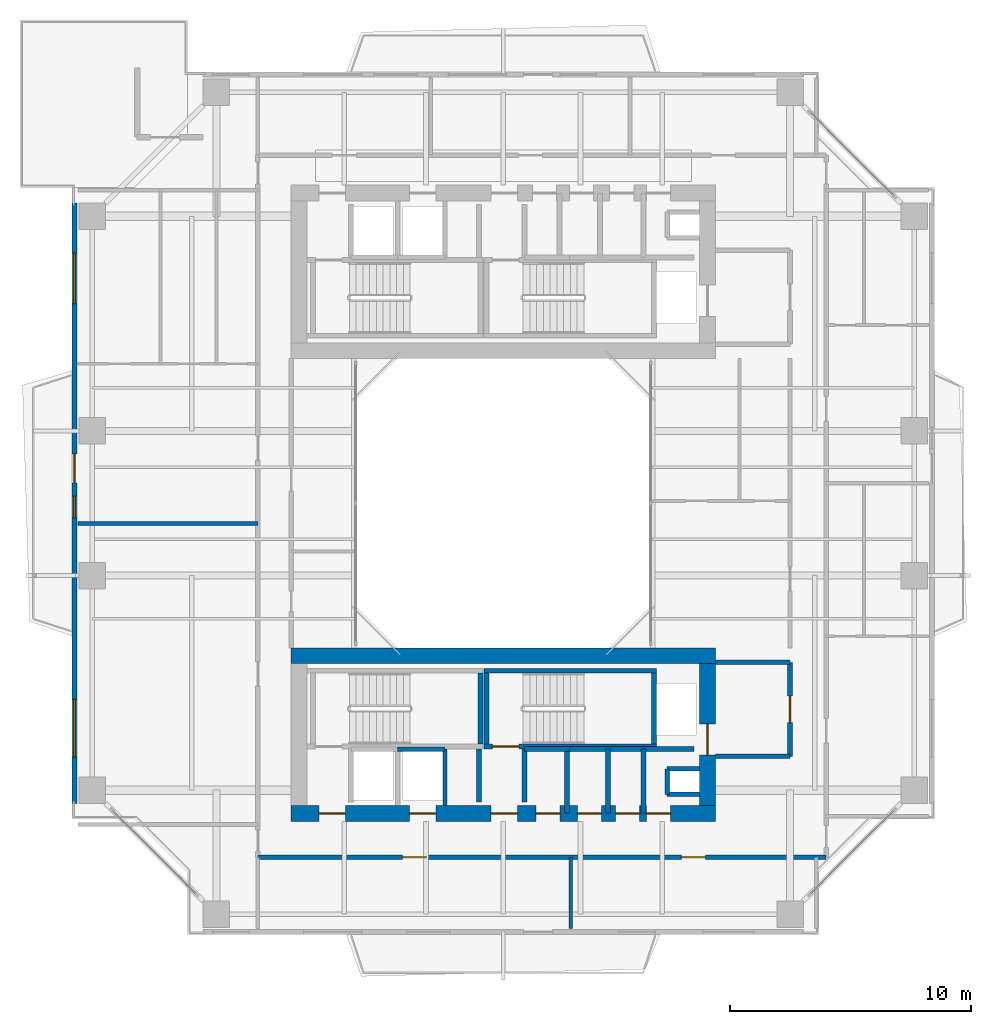
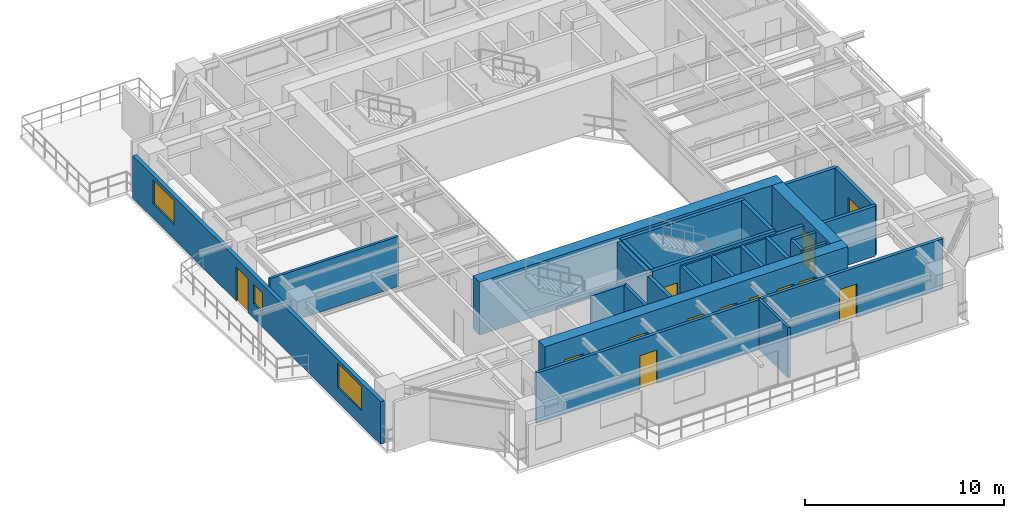
# One storey, part 10 of 17: 27 walls, 13 doors, 3 windows, 16 openings.
"""IFC4 building model written with IfcOpenShell, lengths in metres."""

from ifc_helpers import new_model, si_unit, direction, frame, frame_2d, origin, place, context, subcontext, project, spatial, rectangle, extrude, source, transform, mapped, material, layer, layer_set, type_object, element, fill, save


model = new_model("IFC4")

# Units and contexts
model_context = context("Model", 3, precision=1e-05, world=origin(), true_north=direction((0.0, 1.0)))
body_context = subcontext(model_context, "Body", "Model", "MODEL_VIEW")
ifc_project = project(units=[si_unit("LENGTHUNIT", "METRE"), si_unit("AREAUNIT", "SQUARE_METRE"), si_unit("VOLUMEUNIT", "CUBIC_METRE"), si_unit("PLANEANGLEUNIT", "RADIAN"), si_unit("MASSUNIT", "GRAM", prefix="KILO"), si_unit("THERMODYNAMICTEMPERATUREUNIT", "KELVIN"), si_unit("POWERUNIT", "WATT")], contexts=[model_context])

# Site, building, storey
site_placement = place(None, origin())
site = spatial("IfcSite", under=ifc_project, at=site_placement, CompositionType="ELEMENT")
building_placement = place(site_placement, origin())
building = spatial("IfcBuilding", under=site, at=building_placement, Name="Qiaomeng Ring Towers", CompositionType="ELEMENT")
storey_placement = place(building_placement, frame((0.0, 0.0, 132.75)))
storey = spatial("IfcBuildingStorey", under=building, at=storey_placement, Name="L38", CompositionType="ELEMENT", Elevation=132.75)

# Wall, openings, windows, door
ifc_material_1 = material(Name="Precast concrete C40", Category="concrete")
ifc_layer_1 = layer(ifc_material_1, 0.219970703125, Name="Precast concrete C40")
ifc_layer_set_1 = layer_set([ifc_layer_1], Name="Precast concrete C40")
wall_type_1 = type_object("IfcWallType", Name="ARC-WL-EW2", PredefinedType="STANDARD", material=ifc_layer_set_1)
wall_1_placement = place(storey_placement, frame((1.2099609375, 10.550048828125, 0.0), z_axis=(0.0, 0.0, 1.0), x_axis=(0.0, 1.0, 0.0)))
wall_1 = element("IfcWall", 1, at=wall_1_placement, inside=storey, type_object=wall_type_1, Name="L38 Tower 1 W Exterior Wall", PredefinedType="STANDARD", context=body_context, shape_type="SweptSolid", body=[
    extrude(rectangle(XDim=24.89990234375, YDim=0.219970703125, at=frame_2d((12.449951171875, 0.0))), origin(), (0.0, 0.0, 1.0), 2.610107421875),
])
opening_1_placement = place(wall_1_placement, frame((13.300048828125, 0.0, 0.0)))
opening_1 = element("IfcOpeningElement", 2, at=opening_1_placement, cuts=wall_1, Name="Opening BD1", PredefinedType="OPENING", context=body_context, shape_type="SweptSolid", body=[
    extrude(rectangle(XDim=1.199951171875, YDim=2.10009765625, at=frame_2d((0.60009765625, 1.050048828125))), frame((0.0, 0.119873046875, 0.0), z_axis=(0.0, -1.0, 0.0), x_axis=(1.0, 0.0, 0.0)), (0.0, 0.0, 1.0), 0.239990234375),
])
opening_2_placement = place(wall_1_placement, frame((1.912109375, 0.0, 0.89990234375)))
opening_2 = element("IfcOpeningElement", 3, at=opening_2_placement, cuts=wall_1, Name="Opening WN6", PredefinedType="OPENING", context=body_context, shape_type="SweptSolid", body=[
    extrude(rectangle(XDim=2.39990234375, YDim=1.47998046875, at=frame_2d((1.199951171875, 0.739990234375))), frame((0.0, 0.119873046875, 0.0), z_axis=(0.0, -1.0, 0.0), x_axis=(1.0, 0.0, 0.0)), (0.0, 0.0, 1.0), 0.239990234375),
])
opening_3_placement = place(wall_1_placement, frame((20.737060546875, 0.0, 0.89990234375)))
opening_3 = element("IfcOpeningElement", 4, at=opening_3_placement, cuts=wall_1, Name="Opening WN4", PredefinedType="OPENING", context=body_context, shape_type="SweptSolid", body=[
    extrude(rectangle(XDim=2.10009765625, YDim=1.47998046875, at=frame_2d((1.050048828125, 0.739990234375))), frame((0.0, 0.119873046875, 0.0), z_axis=(0.0, -1.0, 0.0), x_axis=(1.0, 0.0, 0.0)), (0.0, 0.0, 1.0), 0.239990234375),
])
opening_4_placement = place(wall_1_placement, frame((11.844970703125, 0.0, 0.89990234375)))
opening_4 = element("IfcOpeningElement", 5, at=opening_4_placement, cuts=wall_1, Name="Opening WN5", PredefinedType="OPENING", context=body_context, shape_type="SweptSolid", body=[
    extrude(rectangle(XDim=0.89990234375, YDim=1.199951171875, at=frame_2d((0.449951171875, 0.60009765625))), frame((0.0, 0.119873046875, 0.0), z_axis=(0.0, -1.0, 0.0), x_axis=(1.0, 0.0, 0.0)), (0.0, 0.0, 1.0), 0.239990234375),
])
ifc_material_2 = material(Name="Low-E dark-grey laminated double glazing", Category="glass")
window_type_1 = type_object("IfcWindowType", Name="ARC-WN-4", PartitioningType="TRIPLE_PANEL_VERTICAL", PredefinedType="WINDOW", material=ifc_material_2)
shared_shape_1 = source(origin(), body_context, "Body", "SweptSolid", [
    extrude(rectangle(XDim=2.10009765625, YDim=1.47998046875, at=frame_2d((1.050048828125, 0.739990234375))), frame((0.0, 0.030029296875, 0.0), z_axis=(0.0, -1.0, 0.0), x_axis=(1.0, 0.0, 0.0)), (0.0, 0.0, 1.0), 0.06005859375),
])
window_1_placement = place(opening_3_placement, origin())
window_1 = element("IfcWindow", 6, at=window_1_placement, inside=storey, type_object=window_type_1, Name="L38 Exterior Window WN4", OverallHeight=1.47998046875, OverallWidth=2.10009765625, PartitioningType="TRIPLE_PANEL_VERTICAL", PredefinedType="WINDOW", context=body_context, shape_type="MappedRepresentation", body=[
    mapped(shared_shape_1, transform((0.0, 0.0, 0.0), x_axis=(1.0, 0.0, 0.0), y_axis=(0.0, 1.0, 0.0), z_axis=(0.0, 0.0, 1.0), scale=1.0)),
])
fill(opening_3, window_1)
window_type_2 = type_object("IfcWindowType", Name="ARC-WN-6", PartitioningType="TRIPLE_PANEL_VERTICAL", PredefinedType="WINDOW", material=ifc_material_2)
shared_shape_2 = source(origin(), body_context, "Body", "SweptSolid", [
    extrude(rectangle(XDim=2.39990234375, YDim=1.47998046875, at=frame_2d((1.199951171875, 0.739990234375))), frame((0.0, 0.030029296875, 0.0), z_axis=(0.0, -1.0, 0.0), x_axis=(1.0, 0.0, 0.0)), (0.0, 0.0, 1.0), 0.06005859375),
])
window_2_placement = place(opening_2_placement, origin())
window_2 = element("IfcWindow", 7, at=window_2_placement, inside=storey, type_object=window_type_2, Name="L38 Exterior Window WN6", OverallHeight=1.47998046875, OverallWidth=2.39990234375, PartitioningType="TRIPLE_PANEL_VERTICAL", PredefinedType="WINDOW", context=body_context, shape_type="MappedRepresentation", body=[
    mapped(shared_shape_2, transform((0.0, 0.0, 0.0), x_axis=(1.0, 0.0, 0.0), y_axis=(0.0, 1.0, 0.0), z_axis=(0.0, 0.0, 1.0), scale=1.0)),
])
fill(opening_2, window_2)
door_type_1 = type_object("IfcDoorType", Name="ARC-DR-BD1", OperationType="NOTDEFINED", PredefinedType="DOOR", material=ifc_material_2)
shared_shape_3 = source(origin(), body_context, "Body", "SweptSolid", [
    extrude(rectangle(XDim=1.199951171875, YDim=2.10009765625, at=frame_2d((0.60009765625, 1.050048828125))), frame((0.0, 0.02490234375, 0.0), z_axis=(0.0, -1.0, 0.0), x_axis=(1.0, 0.0, 0.0)), (0.0, 0.0, 1.0), 0.050048828125),
])
door_1_placement = place(opening_1_placement, frame((1.199951171875, 0.0, 0.0), z_axis=(0.0, 0.0, 1.0), x_axis=(-1.0, 0.0, 0.0)))
door_1 = element("IfcDoor", 8, at=door_1_placement, inside=storey, type_object=door_type_1, Name="L38 W Balcony Glazed Door", OperationType="SINGLE_SWING_LEFT", OverallHeight=2.10009765625, OverallWidth=1.199951171875, PredefinedType="DOOR", context=body_context, shape_type="MappedRepresentation", body=[
    mapped(shared_shape_3, transform((0.0, 0.0, 0.0), x_axis=(1.0, 0.0, 0.0), y_axis=(0.0, 1.0, 0.0), z_axis=(0.0, 0.0, 1.0), scale=1.0)),
])
fill(opening_1, door_1)
window_type_3 = type_object("IfcWindowType", Name="ARC-WN-5", PartitioningType="SINGLE_PANEL", PredefinedType="WINDOW", material=ifc_material_2)
shared_shape_4 = source(origin(), body_context, "Body", "SweptSolid", [
    extrude(rectangle(XDim=0.89990234375, YDim=1.199951171875, at=frame_2d((0.449951171875, 0.60009765625))), frame((0.0, 0.030029296875, 0.0), z_axis=(0.0, -1.0, 0.0), x_axis=(1.0, 0.0, 0.0)), (0.0, 0.0, 1.0), 0.06005859375),
])
window_3_placement = place(opening_4_placement, origin())
window_3 = element("IfcWindow", 9, at=window_3_placement, inside=storey, type_object=window_type_3, Name="L38 Exterior Window WN5", OverallHeight=1.199951171875, OverallWidth=0.89990234375, PartitioningType="SINGLE_PANEL", PredefinedType="WINDOW", context=body_context, shape_type="MappedRepresentation", body=[
    mapped(shared_shape_4, transform((0.0, 0.0, 0.0), x_axis=(1.0, 0.0, 0.0), y_axis=(0.0, 1.0, 0.0), z_axis=(0.0, 0.0, 1.0), scale=1.0)),
])
fill(opening_4, window_3)

# Walls
ifc_material_3 = material(Name="Autoclaved aerated concrete block", Category="concrete")
ifc_layer_2 = layer(ifc_material_3, 0.199951171875, Name="Autoclaved aerated concrete block")
ifc_layer_set_2 = layer_set([ifc_layer_2], Name="Autoclaved aerated concrete block")
wall_type_2 = type_object("IfcWallType", Name="ARC-WL-PW1", PredefinedType="PARTITIONING", material=ifc_layer_set_2)
for number, where, z_axis, x_axis, name in (
    (10, (27.800048828125, 16.39990234375, 0.0), (0.0, 0.0, 1.0), (1.0, 0.0, 0.0), "L38 Interior Wall PW1"),
    (11, (27.800048828125, 12.5, 0.0), (0.0, 0.0, 1.0), (1.0, 0.0, 0.0), "L38 Interior Wall PW1"),
):
    element("IfcWall", number, at=place(storey_placement, frame(where, z_axis=z_axis, x_axis=x_axis)), inside=storey, type_object=wall_type_2, Name=name, PredefinedType="PARTITIONING", context=body_context, shape_type="SweptSolid", body=[
        extrude(rectangle(XDim=3.099853515625, YDim=0.199951171875, at=frame_2d((1.5498046875, 0.0))), origin(), (0.0, 0.0, 1.0), 3.070068359375),
    ])

# Wall, opening, door
wall_2_placement = place(storey_placement, frame((30.89990234375, 12.5, 0.0), z_axis=(0.0, 0.0, 1.0), x_axis=(0.0, 1.0, 0.0)))
wall_2 = element("IfcWall", 12, at=wall_2_placement, inside=storey, type_object=wall_type_2, Name="L38 Interior Wall PW1", PredefinedType="PARTITIONING", context=body_context, shape_type="SweptSolid", body=[
    extrude(rectangle(XDim=3.89990234375, YDim=0.199951171875, at=frame_2d((1.949951171875, 0.0))), origin(), (0.0, 0.0, 1.0), 3.070068359375),
])
opening_5_placement = place(wall_2_placement, frame((1.39990234375, 0.0, 0.0)))
opening_5 = element("IfcOpeningElement", 13, at=opening_5_placement, cuts=wall_2, Name="Opening FD3", PredefinedType="OPENING", context=body_context, shape_type="SweptSolid", body=[
    extrude(rectangle(XDim=1.10009765625, YDim=2.050048828125, at=frame_2d((0.550048828125, 1.02490234375))), frame((0.0, 0.10986328125, 0.0), z_axis=(0.0, -1.0, 0.0), x_axis=(1.0, 0.0, 0.0)), (0.0, 0.0, 1.0), 0.219970703125),
])
ifc_material_4 = material(Name="Galvanised steel", Category="steel")
door_type_2 = type_object("IfcDoorType", Name="ARC-DR-FD3", OperationType="NOTDEFINED", PredefinedType="DOOR", material=ifc_material_4)
shared_shape_5 = source(origin(), body_context, "Body", "SweptSolid", [
    extrude(rectangle(XDim=1.10009765625, YDim=2.050048828125, at=frame_2d((0.550048828125, 1.02490234375))), frame((0.0, 0.02490234375, 0.0), z_axis=(0.0, -1.0, 0.0), x_axis=(1.0, 0.0, 0.0)), (0.0, 0.0, 1.0), 0.050048828125),
])
door_2_placement = place(opening_5_placement, origin())
door_2 = element("IfcDoor", 14, at=door_2_placement, inside=storey, type_object=door_type_2, Name="L38 South FF Lobby Door", OperationType="SINGLE_SWING_RIGHT", OverallHeight=2.050048828125, OverallWidth=1.10009765625, PredefinedType="DOOR", context=body_context, shape_type="MappedRepresentation", body=[
    mapped(shared_shape_5, transform((0.0, 0.0, 0.0), x_axis=(1.0, 0.0, 0.0), y_axis=(0.0, 1.0, 0.0), z_axis=(0.0, 0.0, 1.0), scale=1.0)),
])
fill(opening_5, door_2)

# Walls
for number, where, z_axis, x_axis, name in (
    (15, (18.0, 10.60009765625, 0.0), (0.0, 0.0, 1.0), (0.0, 1.0, 0.0), "L38 Interior Wall PW1"),
    (16, (19.8798828125, 10.60009765625, 0.0), (0.0, 0.0, 1.0), (0.0, 1.0, 0.0), "L38 Interior Wall PW1"),
):
    element("IfcWall", number, at=place(storey_placement, frame(where, z_axis=z_axis, x_axis=x_axis)), inside=storey, type_object=wall_type_2, Name=name, PredefinedType="PARTITIONING", context=body_context, shape_type="SweptSolid", body=[
        extrude(rectangle(XDim=2.2099609375, YDim=0.199951171875, at=frame_2d((1.10498046875, 0.0))), origin(), (0.0, 0.0, 1.0), 3.070068359375),
    ])
wall_3_placement = place(storey_placement, frame((24.820068359375, 10.14990234375, 0.0), z_axis=(0.0, 0.0, 1.0), x_axis=(0.0, 1.0, 0.0)))
element("IfcWall", 17, at=wall_3_placement, inside=storey, type_object=wall_type_2, Name="L38 Interior Wall PW1", PredefinedType="PARTITIONING", context=body_context, shape_type="SweptSolid", body=[
    extrude(rectangle(XDim=2.650146484375, YDim=0.199951171875, at=frame_2d((1.3251953125, 0.0))), origin(), (0.0, 0.0, 1.0), 3.070068359375),
])
wall_4_placement = place(storey_placement, frame((19.8798828125, 12.800048828125, 0.0), z_axis=(0.0, 0.0, 1.0), x_axis=(1.0, 0.0, 0.0)))
element("IfcWall", 18, at=wall_4_placement, inside=storey, type_object=wall_type_2, Name="L38 Interior Wall PW1", PredefinedType="PARTITIONING", context=body_context, shape_type="SweptSolid", body=[
    extrude(rectangle(XDim=1.8701171875, YDim=0.199951171875, at=frame_2d((0.93505859375, 0.0))), origin(), (0.0, 0.0, 1.0), 3.070068359375),
])
for number, where, z_axis, x_axis, name in (
    (19, (21.639892578125, 10.14990234375, 0.0), (0.0, 0.0, 1.0), (0.0, 1.0, 0.0), "L38 Interior Wall PW1"),
    (20, (23.35009765625, 10.14990234375, 0.0), (0.0, 0.0, 1.0), (0.0, 1.0, 0.0), "L38 Interior Wall PW1"),
):
    element("IfcWall", number, at=place(storey_placement, frame(where, z_axis=z_axis, x_axis=x_axis)), inside=storey, type_object=wall_type_2, Name=name, PredefinedType="PARTITIONING", context=body_context, shape_type="SweptSolid", body=[
        extrude(rectangle(XDim=2.650146484375, YDim=0.199951171875, at=frame_2d((1.3251953125, 0.0))), origin(), (0.0, 0.0, 1.0), 3.070068359375),
    ])
wall_5_placement = place(storey_placement, frame((21.75, 12.800048828125, 0.0), z_axis=(0.0, 0.0, 1.0), x_axis=(1.0, 0.0, 0.0)))
element("IfcWall", 21, at=wall_5_placement, inside=storey, type_object=wall_type_2, Name="L38 Interior Wall PW1", PredefinedType="PARTITIONING", context=body_context, shape_type="SweptSolid", body=[
    extrude(rectangle(XDim=5.169921875, YDim=0.199951171875, at=frame_2d((2.5849609375, 0.0))), origin(), (0.0, 0.0, 1.0), 3.070068359375),
])

# Wall, openings, doors
ifc_layer_3 = layer(ifc_material_3, 0.179931640625, Name="Autoclaved aerated concrete block")
ifc_layer_set_3 = layer_set([ifc_layer_3], Name="Autoclaved aerated concrete block")
wall_type_3 = type_object("IfcWallType", Name="ARC-WL-PW2", PredefinedType="PARTITIONING", material=ifc_layer_set_3)
wall_6_placement = place(storey_placement, frame((8.820068359375, 8.31005859375, 0.0), z_axis=(0.0, 0.0, 1.0), x_axis=(1.0, 0.0, 0.0)))
wall_6 = element("IfcWall", 22, at=wall_6_placement, inside=storey, type_object=wall_type_3, Name="L38 Interior Wall PW2", PredefinedType="PARTITIONING", context=body_context, shape_type="SweptSolid", body=[
    extrude(rectangle(XDim=23.579833984375, YDim=0.179931640625, at=frame_2d((11.7900390625, 0.0))), origin(), (0.0, 0.0, 1.0), 3.070068359375),
])
opening_6_placement = place(wall_6_placement, frame((5.989990234375, 0.0, 0.0)))
opening_6 = element("IfcOpeningElement", 23, at=opening_6_placement, cuts=wall_6, Name="Opening FD4", PredefinedType="OPENING", context=body_context, shape_type="SweptSolid", body=[
    extrude(rectangle(XDim=1.0, YDim=2.050048828125, at=frame_2d((0.5, 1.02490234375))), frame((0.0, 0.099853515625, 0.0), z_axis=(0.0, -1.0, 0.0), x_axis=(1.0, 0.0, 0.0)), (0.0, 0.0, 1.0), 0.199951171875),
])
opening_7_placement = place(wall_6_placement, frame((17.570068359375, 0.0, 0.0)))
opening_7 = element("IfcOpeningElement", 24, at=opening_7_placement, cuts=wall_6, Name="Opening FD4", PredefinedType="OPENING", context=body_context, shape_type="SweptSolid", body=[
    extrude(rectangle(XDim=1.0, YDim=2.050048828125, at=frame_2d((0.5, 1.02490234375))), frame((0.0, 0.099853515625, 0.0), z_axis=(0.0, -1.0, 0.0), x_axis=(1.0, 0.0, 0.0)), (0.0, 0.0, 1.0), 0.199951171875),
])
ifc_material_5 = material(Name="Engineered fire-rated oak timber", Category="wood")
door_type_3 = type_object("IfcDoorType", Name="ARC-DR-FD4", OperationType="NOTDEFINED", PredefinedType="DOOR", material=ifc_material_5)
shared_shape_6 = source(origin(), body_context, "Body", "SweptSolid", [
    extrude(rectangle(XDim=1.0, YDim=2.050048828125, at=frame_2d((0.5, 1.02490234375))), frame((0.0, 0.02490234375, 0.0), z_axis=(0.0, -1.0, 0.0), x_axis=(1.0, 0.0, 0.0)), (0.0, 0.0, 1.0), 0.050048828125),
])
door_3_placement = place(opening_6_placement, origin())
door_3 = element("IfcDoor", 25, at=door_3_placement, inside=storey, type_object=door_type_3, Name="L38 Door FD4", OperationType="SINGLE_SWING_RIGHT", OverallHeight=2.050048828125, OverallWidth=1.0, PredefinedType="DOOR", context=body_context, shape_type="MappedRepresentation", body=[
    mapped(shared_shape_6, transform((0.0, 0.0, 0.0), x_axis=(1.0, 0.0, 0.0), y_axis=(0.0, 1.0, 0.0), z_axis=(0.0, 0.0, 1.0), scale=1.0)),
])
fill(opening_6, door_3)
door_4_placement = place(opening_7_placement, origin())
door_4 = element("IfcDoor", 26, at=door_4_placement, inside=storey, type_object=door_type_3, Name="L38 Door FD4", OperationType="SINGLE_SWING_LEFT", OverallHeight=2.050048828125, OverallWidth=1.0, PredefinedType="DOOR", context=body_context, shape_type="MappedRepresentation", body=[
    mapped(shared_shape_6, transform((0.0, 0.0, 0.0), x_axis=(1.0, 0.0, 0.0), y_axis=(0.0, 1.0, 0.0), z_axis=(0.0, 0.0, 1.0), scale=1.0)),
])
fill(opening_7, door_4)

# Walls
ifc_material_6 = material(Name="Gypsum fireboard steel-stud partition", Category="steel")
ifc_layer_4 = layer(ifc_material_6, 0.14990234375, Name="Gypsum fireboard steel-stud partition")
ifc_layer_set_4 = layer_set([ifc_layer_4], Name="Gypsum fireboard steel-stud partition")
wall_type_4 = type_object("IfcWallType", Name="ARC-WL-PW3", PredefinedType="PARTITIONING", material=ifc_layer_set_4)
wall_7_placement = place(storey_placement, frame((21.800048828125, 5.35009765625, 0.0), z_axis=(0.0, 0.0, 1.0), x_axis=(0.0, 1.0, 0.0)))
element("IfcWall", 27, at=wall_7_placement, inside=storey, type_object=wall_type_4, Name="L38 Interior Wall PW3", PredefinedType="PARTITIONING", context=body_context, shape_type="SweptSolid", body=[
    extrude(rectangle(XDim=2.9599609375, YDim=0.14990234375, at=frame_2d((1.47998046875, 0.0))), origin(), (0.0, 0.0, 1.0), 3.070068359375),
])
wall_8_placement = place(storey_placement, frame((1.35009765625, 22.159912109375, 0.0), z_axis=(0.0, 0.0, 1.0), x_axis=(1.0, 0.0, 0.0)))
element("IfcWall", 28, at=wall_8_placement, inside=storey, type_object=wall_type_4, Name="L38 Interior Wall PW3", PredefinedType="PARTITIONING", context=body_context, shape_type="SweptSolid", body=[
    extrude(rectangle(XDim=7.469970703125, YDim=0.14990234375, at=frame_2d((3.73486328125, 0.0))), origin(), (0.0, 0.0, 1.0), 3.070068359375),
])
ifc_material_7 = material(Name="Concrete C40", Category="concrete")
ifc_layer_5 = layer(ifc_material_7, 0.199951171875, Name="Concrete C40")
ifc_layer_set_5 = layer_set([ifc_layer_5], Name="Concrete C40")
wall_type_5 = type_object("IfcWallType", Name="STR-WL-STSHAFT", PredefinedType="SHEAR", material=ifc_layer_set_5)
wall_9_placement = place(storey_placement, frame((25.800048828125, 10.919921875, 0.0), z_axis=(0.0, 0.0, 1.0), x_axis=(0.0, 1.0, 0.0)))
element("IfcWall", 29, at=wall_9_placement, inside=storey, type_object=wall_type_5, Name="L38 Riser RSR1 West Shaft Wall S", PredefinedType="SHEAR", context=body_context, shape_type="SweptSolid", body=[
    extrude(rectangle(XDim=1.06005859375, YDim=0.179931640625, at=frame_2d((0.530029296875, 0.0))), origin(), (0.0, 0.0, 1.0), 3.070068359375),
])
for number, where, z_axis, x_axis, name in (
    (30, (25.800048828125, 11.97998046875, 0.0), (0.0, 0.0, 1.0), (1.0, 0.0, 0.0), "L38 Riser RSR1 North Shaft Wall S"),
    (31, (25.800048828125, 10.919921875, 0.0), (0.0, 0.0, 1.0), (1.0, 0.0, 0.0), "L38 Riser RSR1 South Shaft Wall S"),
):
    element("IfcWall", number, at=place(storey_placement, frame(where, z_axis=z_axis, x_axis=x_axis)), inside=storey, type_object=wall_type_5, Name=name, PredefinedType="SHEAR", context=body_context, shape_type="SweptSolid", body=[
        extrude(rectangle(XDim=1.349853515625, YDim=0.179931640625, at=frame_2d((0.6748046875, 0.0))), origin(), (0.0, 0.0, 1.0), 3.070068359375),
    ])
wall_10_placement = place(storey_placement, frame((14.6201171875, 12.800048828125, 0.0), z_axis=(0.0, 0.0, 1.0), x_axis=(1.0, 0.0, 0.0)))
element("IfcWall", 32, at=wall_10_placement, inside=storey, type_object=wall_type_5, Name="L38 Lift LP4 Shaft Back Wall", PredefinedType="SHEAR", context=body_context, shape_type="SweptSolid", body=[
    extrude(rectangle(XDim=1.9599609375, YDim=0.179931640625, at=frame_2d((0.97998046875, 0.0))), origin(), (0.0, 0.0, 1.0), 3.070068359375),
])
wall_11_placement = place(storey_placement, frame((16.580078125, 10.449951171875, 0.0), z_axis=(0.0, 0.0, 1.0), x_axis=(0.0, 1.0, 0.0)))
element("IfcWall", 33, at=wall_11_placement, inside=storey, type_object=wall_type_5, Name="L38 Lift LP4 East Shaft Wall", PredefinedType="SHEAR", context=body_context, shape_type="SweptSolid", body=[
    extrude(rectangle(XDim=2.35009765625, YDim=0.179931640625, at=frame_2d((1.175048828125, 0.0))), origin(), (0.0, 0.0, 1.0), 3.070068359375),
])
wall_12_placement = place(storey_placement, frame((18.050048828125, 13.010009765625, 0.0), z_axis=(0.0, 0.0, 1.0), x_axis=(0.0, 1.0, 0.0)))
element("IfcWall", 34, at=wall_12_placement, inside=storey, type_object=wall_type_5, Name="L38 Stair ST3 East Shaft Shear Wall", PredefinedType="SHEAR", context=body_context, shape_type="SweptSolid", body=[
    extrude(rectangle(XDim=2.93994140625, YDim=0.199951171875, at=frame_2d((1.469970703125, 0.0))), origin(), (0.0, 0.0, 1.0), 3.25),
])

# Wall, opening, door
wall_13_placement = place(storey_placement, frame((18.199951171875, 12.909912109375, 0.0), z_axis=(0.0, 0.0, 1.0), x_axis=(1.0, 0.0, 0.0)))
wall_13 = element("IfcWall", 35, at=wall_13_placement, inside=storey, type_object=wall_type_5, Name="L38 Stair ST4 South Shaft Shear Wall", PredefinedType="SHEAR", context=body_context, shape_type="SweptSolid", body=[
    extrude(rectangle(XDim=7.150146484375, YDim=0.199951171875, at=frame_2d((3.5751953125, 0.0))), origin(), (0.0, 0.0, 1.0), 3.25),
])
opening_8_placement = place(wall_13_placement, frame((0.35009765625, 0.0, 0.0)))
opening_8 = element("IfcOpeningElement", 36, at=opening_8_placement, cuts=wall_13, Name="Opening FD3", PredefinedType="OPENING", context=body_context, shape_type="SweptSolid", body=[
    extrude(rectangle(XDim=1.10009765625, YDim=2.050048828125, at=frame_2d((0.550048828125, 1.02490234375))), frame((0.0, 0.10986328125, 0.0), z_axis=(0.0, -1.0, 0.0), x_axis=(1.0, 0.0, 0.0)), (0.0, 0.0, 1.0), 0.219970703125),
])
door_5_placement = place(opening_8_placement, frame((1.10009765625, 0.0, 0.0), z_axis=(0.0, 0.0, 1.0), x_axis=(-1.0, 0.0, 0.0)))
door_5 = element("IfcDoor", 37, at=door_5_placement, inside=storey, type_object=door_type_2, Name="L38 Stair ST4 Exit Door", OperationType="SINGLE_SWING_RIGHT", OverallHeight=2.050048828125, OverallWidth=1.10009765625, PredefinedType="DOOR", context=body_context, shape_type="MappedRepresentation", body=[
    mapped(shared_shape_5, transform((0.0, 0.0, 0.0), x_axis=(1.0, 0.0, 0.0), y_axis=(0.0, 1.0, 0.0), z_axis=(0.0, 0.0, 1.0), scale=1.0)),
])
fill(opening_8, door_5)

# Walls
wall_14_placement = place(storey_placement, frame((18.199951171875, 16.050048828125, 0.0), z_axis=(0.0, 0.0, 1.0), x_axis=(1.0, 0.0, 0.0)))
element("IfcWall", 38, at=wall_14_placement, inside=storey, type_object=wall_type_5, Name="L38 Stair ST4 North Shaft Shear Wall", PredefinedType="SHEAR", context=body_context, shape_type="SweptSolid", body=[
    extrude(rectangle(XDim=7.150146484375, YDim=0.199951171875, at=frame_2d((3.5751953125, 0.0))), origin(), (0.0, 0.0, 1.0), 3.25),
])
for number, where, z_axis, x_axis, name in (
    (39, (18.300048828125, 13.010009765625, 0.0), (0.0, 0.0, 1.0), (0.0, 1.0, 0.0), "L38 Stair ST4 West Shaft Shear Wall"),
    (40, (25.25, 13.010009765625, 0.0), (0.0, 0.0, 1.0), (0.0, 1.0, 0.0), "L38 Stair ST4 East Shaft Shear Wall"),
):
    element("IfcWall", number, at=place(storey_placement, frame(where, z_axis=z_axis, x_axis=x_axis)), inside=storey, type_object=wall_type_5, Name=name, PredefinedType="SHEAR", context=body_context, shape_type="SweptSolid", body=[
        extrude(rectangle(XDim=2.93994140625, YDim=0.199951171875, at=frame_2d((1.469970703125, 0.0))), origin(), (0.0, 0.0, 1.0), 3.25),
    ])

# Wall, openings, doors
ifc_material_8 = material(Name="Concrete C55", Category="concrete")
ifc_layer_6 = layer(ifc_material_8, 0.64990234375, Name="Concrete C55")
ifc_layer_set_6 = layer_set([ifc_layer_6], Name="Concrete C55")
wall_type_6 = type_object("IfcWallType", Name="STR-WL-SW2A", PredefinedType="SHEAR", material=ifc_layer_set_6)
wall_15_placement = place(storey_placement, frame((10.199951171875, 10.125, 0.0), z_axis=(0.0, 0.0, 1.0), x_axis=(1.0, 0.0, 0.0)))
wall_15 = element("IfcWall", 41, at=wall_15_placement, inside=storey, type_object=wall_type_6, Name="L38 T1SC south core shear wall", PredefinedType="SHEAR", context=body_context, shape_type="SweptSolid", body=[
    extrude(rectangle(XDim=17.60009765625, YDim=0.64990234375, at=frame_2d((8.800048828125, 0.0))), origin(), (0.0, 0.0, 1.0), 3.25),
])
opening_9_placement = place(wall_15_placement, frame((1.14990234375, 0.0, 0.0)))
opening_9 = element("IfcOpeningElement", 42, at=opening_9_placement, cuts=wall_15, Name="Opening FD3", PredefinedType="OPENING", context=body_context, shape_type="SweptSolid", body=[
    extrude(rectangle(XDim=1.10009765625, YDim=2.050048828125, at=frame_2d((0.550048828125, 1.02490234375))), frame((0.0, 0.3349609375, 0.0), z_axis=(0.0, -1.0, 0.0), x_axis=(1.0, 0.0, 0.0)), (0.0, 0.0, 1.0), 0.669921875),
])
opening_10_placement = place(wall_15_placement, frame((8.300048828125, 0.0, 0.0)))
opening_10 = element("IfcOpeningElement", 43, at=opening_10_placement, cuts=wall_15, Name="Opening FD3", PredefinedType="OPENING", context=body_context, shape_type="SweptSolid", body=[
    extrude(rectangle(XDim=1.10009765625, YDim=2.050048828125, at=frame_2d((0.550048828125, 1.02490234375))), frame((0.0, 0.3349609375, 0.0), z_axis=(0.0, -1.0, 0.0), x_axis=(1.0, 0.0, 0.0)), (0.0, 0.0, 1.0), 0.669921875),
])
opening_11_placement = place(wall_15_placement, frame((4.89990234375, 0.0, 0.0)))
opening_11 = element("IfcOpeningElement", 44, at=opening_11_placement, cuts=wall_15, Name="Opening LD1", PredefinedType="OPENING", context=body_context, shape_type="SweptSolid", body=[
    extrude(rectangle(XDim=1.10009765625, YDim=2.050048828125, at=frame_2d((0.550048828125, 1.02490234375))), frame((0.0, 0.3349609375, 0.0), z_axis=(0.0, -1.0, 0.0), x_axis=(1.0, 0.0, 0.0)), (0.0, 0.0, 1.0), 0.669921875),
])
opening_12_placement = place(wall_15_placement, frame((14.739990234375, 0.0, 0.0)))
opening_12 = element("IfcOpeningElement", 45, at=opening_12_placement, cuts=wall_15, Name="Opening FD1", PredefinedType="OPENING", context=body_context, shape_type="SweptSolid", body=[
    extrude(rectangle(XDim=1.0, YDim=2.050048828125, at=frame_2d((0.5, 1.02490234375))), frame((0.0, 0.3349609375, 0.0), z_axis=(0.0, -1.0, 0.0), x_axis=(1.0, 0.0, 0.0)), (0.0, 0.0, 1.0), 0.669921875),
])
opening_13_placement = place(wall_15_placement, frame((10.155029296875, 0.0, 0.0)))
opening_13 = element("IfcOpeningElement", 46, at=opening_13_placement, cuts=wall_15, Name="Opening FD1", PredefinedType="OPENING", context=body_context, shape_type="SweptSolid", body=[
    extrude(rectangle(XDim=1.0, YDim=2.050048828125, at=frame_2d((0.5, 1.02490234375))), frame((0.0, 0.3349609375, 0.0), z_axis=(0.0, -1.0, 0.0), x_axis=(1.0, 0.0, 0.0)), (0.0, 0.0, 1.0), 0.669921875),
])
opening_14_placement = place(wall_15_placement, frame((11.8701171875, 0.0, 0.0)))
opening_14 = element("IfcOpeningElement", 47, at=opening_14_placement, cuts=wall_15, Name="Opening FD1", PredefinedType="OPENING", context=body_context, shape_type="SweptSolid", body=[
    extrude(rectangle(XDim=1.0, YDim=2.050048828125, at=frame_2d((0.5, 1.02490234375))), frame((0.0, 0.3349609375, 0.0), z_axis=(0.0, -1.0, 0.0), x_axis=(1.0, 0.0, 0.0)), (0.0, 0.0, 1.0), 0.669921875),
])
opening_15_placement = place(wall_15_placement, frame((13.4599609375, 0.0, 0.0)))
opening_15 = element("IfcOpeningElement", 48, at=opening_15_placement, cuts=wall_15, Name="Opening FD1", PredefinedType="OPENING", context=body_context, shape_type="SweptSolid", body=[
    extrude(rectangle(XDim=1.0, YDim=2.050048828125, at=frame_2d((0.5, 1.02490234375))), frame((0.0, 0.3349609375, 0.0), z_axis=(0.0, -1.0, 0.0), x_axis=(1.0, 0.0, 0.0)), (0.0, 0.0, 1.0), 0.669921875),
])
door_6_placement = place(opening_9_placement, origin())
door_6 = element("IfcDoor", 49, at=door_6_placement, inside=storey, type_object=door_type_2, Name="L38 Stair ST3 Lobby Door", OperationType="SINGLE_SWING_LEFT", OverallHeight=2.050048828125, OverallWidth=1.10009765625, PredefinedType="DOOR", context=body_context, shape_type="MappedRepresentation", body=[
    mapped(shared_shape_5, transform((0.0, 0.0, 0.0), x_axis=(1.0, 0.0, 0.0), y_axis=(0.0, 1.0, 0.0), z_axis=(0.0, 0.0, 1.0), scale=1.0)),
])
fill(opening_9, door_6)
door_7_placement = place(opening_10_placement, origin())
door_7 = element("IfcDoor", 50, at=door_7_placement, inside=storey, type_object=door_type_2, Name="L38 Stair ST4 Lobby Door", OperationType="SINGLE_SWING_LEFT", OverallHeight=2.050048828125, OverallWidth=1.10009765625, PredefinedType="DOOR", context=body_context, shape_type="MappedRepresentation", body=[
    mapped(shared_shape_5, transform((0.0, 0.0, 0.0), x_axis=(1.0, 0.0, 0.0), y_axis=(0.0, 1.0, 0.0), z_axis=(0.0, 0.0, 1.0), scale=1.0)),
])
fill(opening_10, door_7)
ifc_material_9 = material(Name="Stainless steel 316", Category="steel")
door_type_4 = type_object("IfcDoorType", Name="ARC-DR-LD1", OperationType="NOTDEFINED", PredefinedType="DOOR", material=ifc_material_9)
door_8_placement = place(opening_11_placement, origin())
door_8 = element("IfcDoor", 51, at=door_8_placement, inside=storey, type_object=door_type_4, Name="L38 Mid-Zone Lift LP4 Landing Door", OperationType="SLIDING_TO_RIGHT", OverallHeight=2.050048828125, OverallWidth=1.10009765625, PredefinedType="DOOR", context=body_context, shape_type="MappedRepresentation", body=[
    mapped(shared_shape_5, transform((0.0, 0.0, 0.0), x_axis=(1.0, 0.0, 0.0), y_axis=(0.0, 1.0, 0.0), z_axis=(0.0, 0.0, 1.0), scale=1.0)),
])
fill(opening_11, door_8)
door_type_5 = type_object("IfcDoorType", Name="ARC-DR-FD1", OperationType="NOTDEFINED", PredefinedType="DOOR", material=ifc_material_4)
door_9_placement = place(opening_12_placement, origin())
door_9 = element("IfcDoor", 52, at=door_9_placement, inside=storey, type_object=door_type_5, Name="L38 South Electrical Riser Door", OperationType="SINGLE_SWING_RIGHT", OverallHeight=2.050048828125, OverallWidth=1.0, PredefinedType="DOOR", context=body_context, shape_type="MappedRepresentation", body=[
    mapped(shared_shape_6, transform((0.0, 0.0, 0.0), x_axis=(1.0, 0.0, 0.0), y_axis=(0.0, 1.0, 0.0), z_axis=(0.0, 0.0, 1.0), scale=1.0)),
])
fill(opening_12, door_9)
door_10_placement = place(opening_13_placement, origin())
door_10 = element("IfcDoor", 53, at=door_10_placement, inside=storey, type_object=door_type_5, Name="L38 South Break Lounge Door", OperationType="SINGLE_SWING_RIGHT", OverallHeight=2.050048828125, OverallWidth=1.0, PredefinedType="DOOR", context=body_context, shape_type="MappedRepresentation", body=[
    mapped(shared_shape_6, transform((0.0, 0.0, 0.0), x_axis=(1.0, 0.0, 0.0), y_axis=(0.0, 1.0, 0.0), z_axis=(0.0, 0.0, 1.0), scale=1.0)),
])
fill(opening_13, door_10)
door_11_placement = place(opening_14_placement, origin())
door_11 = element("IfcDoor", 54, at=door_11_placement, inside=storey, type_object=door_type_5, Name="L38 South Consultation Study Door", OperationType="SINGLE_SWING_LEFT", OverallHeight=2.050048828125, OverallWidth=1.0, PredefinedType="DOOR", context=body_context, shape_type="MappedRepresentation", body=[
    mapped(shared_shape_6, transform((0.0, 0.0, 0.0), x_axis=(1.0, 0.0, 0.0), y_axis=(0.0, 1.0, 0.0), z_axis=(0.0, 0.0, 1.0), scale=1.0)),
])
fill(opening_14, door_11)
door_12_placement = place(opening_15_placement, origin())
door_12 = element("IfcDoor", 55, at=door_12_placement, inside=storey, type_object=door_type_5, Name="L38 South Tea Pantry Door", OperationType="SINGLE_SWING_RIGHT", OverallHeight=2.050048828125, OverallWidth=1.0, PredefinedType="DOOR", context=body_context, shape_type="MappedRepresentation", body=[
    mapped(shared_shape_6, transform((0.0, 0.0, 0.0), x_axis=(1.0, 0.0, 0.0), y_axis=(0.0, 1.0, 0.0), z_axis=(0.0, 0.0, 1.0), scale=1.0)),
])
fill(opening_15, door_12)

# Wall
wall_16_placement = place(storey_placement, frame((10.199951171875, 16.675048828125, 0.0), z_axis=(0.0, 0.0, 1.0), x_axis=(1.0, 0.0, 0.0)))
element("IfcWall", 56, at=wall_16_placement, inside=storey, type_object=wall_type_6, Name="L38 T1SC north core shear wall", PredefinedType="SHEAR", context=body_context, shape_type="SweptSolid", body=[
    extrude(rectangle(XDim=17.60009765625, YDim=0.64990234375, at=frame_2d((8.800048828125, 0.0))), origin(), (0.0, 0.0, 1.0), 3.25),
])

# Wall, opening, door
wall_17_placement = place(storey_placement, frame((27.47509765625, 10.449951171875, 0.0), z_axis=(0.0, 0.0, 1.0), x_axis=(0.0, 1.0, 0.0)))
wall_17 = element("IfcWall", 57, at=wall_17_placement, inside=storey, type_object=wall_type_6, Name="L38 T1SC east core shear wall", PredefinedType="SHEAR", context=body_context, shape_type="SweptSolid", body=[
    extrude(rectangle(XDim=5.900146484375, YDim=0.64990234375, at=frame_2d((2.9501953125, 0.0))), origin(), (0.0, 0.0, 1.0), 3.25),
])
opening_16_placement = place(wall_17_placement, frame((2.10009765625, 0.0, 0.0)))
opening_16 = element("IfcOpeningElement", 58, at=opening_16_placement, cuts=wall_17, Name="Opening LD2", PredefinedType="OPENING", context=body_context, shape_type="SweptSolid", body=[
    extrude(rectangle(XDim=1.300048828125, YDim=2.050048828125, at=frame_2d((0.64990234375, 1.02490234375))), frame((0.0, 0.3349609375, 0.0), z_axis=(0.0, -1.0, 0.0), x_axis=(1.0, 0.0, 0.0)), (0.0, 0.0, 1.0), 0.669921875),
])
door_type_6 = type_object("IfcDoorType", Name="ARC-DR-LD2", OperationType="NOTDEFINED", PredefinedType="DOOR", material=ifc_material_9)
shared_shape_7 = source(origin(), body_context, "Body", "SweptSolid", [
    extrude(rectangle(XDim=1.300048828125, YDim=2.050048828125, at=frame_2d((0.64990234375, 1.02490234375))), frame((0.0, 0.02490234375, 0.0), z_axis=(0.0, -1.0, 0.0), x_axis=(1.0, 0.0, 0.0)), (0.0, 0.0, 1.0), 0.050048828125),
])
door_13_placement = place(opening_16_placement, origin())
door_13 = element("IfcDoor", 59, at=door_13_placement, inside=storey, type_object=door_type_6, Name="L38 Firefighting Lift FL2 Landing Door", OperationType="SLIDING_TO_RIGHT", OverallHeight=2.050048828125, OverallWidth=1.300048828125, PredefinedType="DOOR", context=body_context, shape_type="MappedRepresentation", body=[
    mapped(shared_shape_7, transform((0.0, 0.0, 0.0), x_axis=(1.0, 0.0, 0.0), y_axis=(0.0, 1.0, 0.0), z_axis=(0.0, 0.0, 1.0), scale=1.0)),
])
fill(opening_16, door_13)

save(model, "model.ifc")
